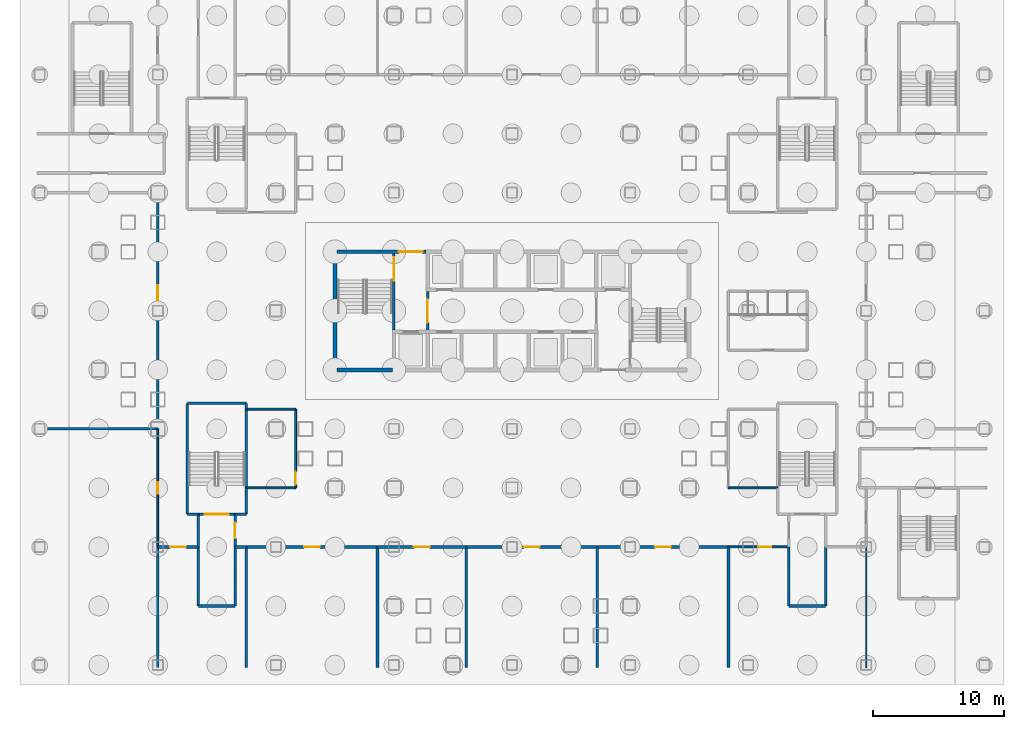
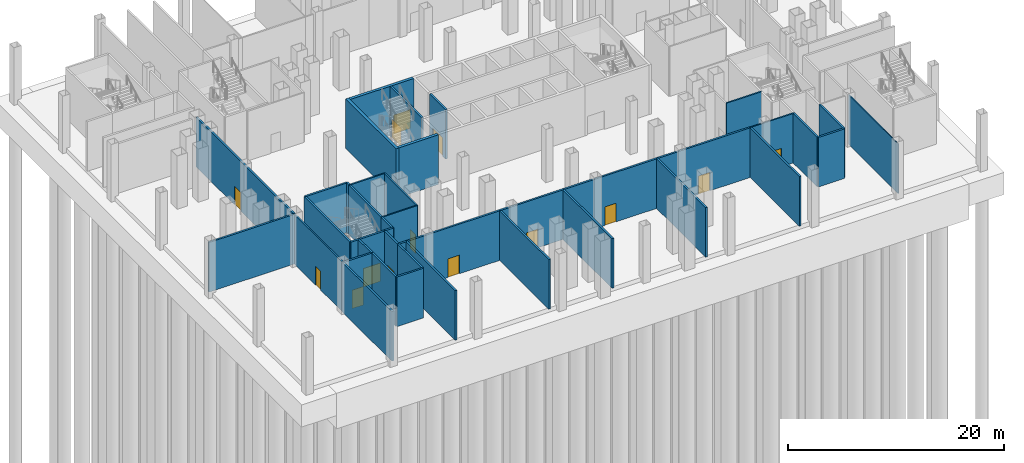
# One storey, part 3 of 25: 42 walls, 14 doors, 14 openings.
"""IFC4 building model written with IfcOpenShell, lengths in metres."""

from ifc_helpers import new_model, si_unit, direction, frame, frame_2d, origin, place, context, subcontext, project, spatial, rectangle, extrude, material, layer, layer_set, type_object, element, fill, save


model = new_model("IFC4")

# Units and contexts
model_context = context("Model", 3, precision=1e-05, world=origin(), true_north=direction((0.0, 1.0)))
body_context = subcontext(model_context, "Body", "Model", "MODEL_VIEW")
ifc_project = project(units=[si_unit("LENGTHUNIT", "METRE"), si_unit("AREAUNIT", "SQUARE_METRE"), si_unit("VOLUMEUNIT", "CUBIC_METRE"), si_unit("PLANEANGLEUNIT", "RADIAN"), si_unit("MASSUNIT", "GRAM", prefix="KILO")], contexts=[model_context])

# Site, building, storey
site_placement = place(None, origin())
site = spatial("IfcSite", under=ifc_project, at=site_placement, CompositionType="ELEMENT")
building_placement = place(site_placement, origin())
building = spatial("IfcBuilding", under=site, at=building_placement, Name="Caravel Reach Hotel and Residences", CompositionType="ELEMENT")
storey_placement = place(building_placement, frame((0.0, 0.0, -6.0)))
storey = spatial("IfcBuildingStorey", under=building, at=storey_placement, Name="B1", CompositionType="ELEMENT", Elevation=-6.0)

# Walls
ifc_material_1 = material(Name="Autoclaved aerated block wall")
ifc_layer_1 = layer(ifc_material_1, 0.199951171875)
ifc_layer_set_1 = layer_set([ifc_layer_1], Name="Compartment wall 200 mm EI 120")
wall_type_1 = type_object("IfcWallType", Name="Compartment wall 200 mm EI 120", PredefinedType="PARTITIONING", material=ifc_layer_set_1)
wall_1_placement = place(storey_placement, frame((-4.68994140625, 18.0, 0.0), z_axis=(0.0, 0.0, 1.0), x_axis=(1.0, 0.0, 0.0)))
element("IfcWall", 1, at=wall_1_placement, inside=storey, type_object=wall_type_1, Name="B1 wall w035", PredefinedType="PARTITIONING", context=body_context, shape_type="SweptSolid", body=[
    extrude(rectangle(XDim=9.18994140625, YDim=0.199951171875, at=frame_2d((4.594970703125, 0.0))), origin(), (0.0, 0.0, 1.0), 5.60009765625),
])
for number, where, z_axis, x_axis, name in (
    (2, (7.60009765625, 4.5, 0.0), (0.0, 0.0, 1.0), (1.0, 0.0, 0.0), "B1 wall w041"),
    (3, (52.60009765625, 4.5, 0.0), (0.0, 0.0, 1.0), (1.0, 0.0, 0.0), "B1 wall w042"),
):
    element("IfcWall", number, at=place(storey_placement, frame(where, z_axis=z_axis, x_axis=x_axis)), inside=storey, type_object=wall_type_1, Name=name, PredefinedType="PARTITIONING", context=body_context, shape_type="SweptSolid", body=[
        extrude(rectangle(XDim=2.7998046875, YDim=0.199951171875, at=frame_2d((1.39990234375, 0.0))), origin(), (0.0, 0.0, 1.0), 5.60009765625),
    ])

# Wall, opening, door
wall_2_placement = place(storey_placement, frame((4.5, 9.0, 0.0), z_axis=(0.0, 0.0, 1.0), x_axis=(1.0, 0.0, 0.0)))
wall_2 = element("IfcWall", 4, at=wall_2_placement, inside=storey, type_object=wall_type_1, Name="B1 wall w050", PredefinedType="PARTITIONING", context=body_context, shape_type="SweptSolid", body=[
    extrude(rectangle(XDim=3.10009765625, YDim=0.199951171875, at=frame_2d((1.550048828125, 0.0))), origin(), (0.0, 0.0, 1.0), 5.60009765625),
])
opening_1_placement = place(wall_2_placement, frame((0.949951171875, 0.0, 0.0)))
opening_1 = element("IfcOpeningElement", 5, at=opening_1_placement, cuts=wall_2, Name="Opening DB1-034", PredefinedType="OPENING", context=body_context, shape_type="SweptSolid", body=[
    extrude(rectangle(XDim=1.199951171875, YDim=2.10009765625, at=frame_2d((0.60009765625, 1.050048828125))), frame((0.0, 0.10986328125, 0.0), z_axis=(0.0, -1.0, 0.0), x_axis=(1.0, 0.0, 0.0)), (0.0, 0.0, 1.0), 0.219970703125),
])
ifc_material_2 = material(Name="Steel fire door leaf", Category="steel")
door_type_1 = type_object("IfcDoorType", Name="Plant room door 1200 x 2100 EI 60", OperationType="SINGLE_SWING_LEFT", PredefinedType="DOOR", material=ifc_material_2)
door_1_placement = place(opening_1_placement, origin())
door_1 = element("IfcDoor", 6, at=door_1_placement, inside=storey, type_object=door_type_1, Name="door DB1-034", OperationType="SINGLE_SWING_RIGHT", OverallHeight=2.10009765625, OverallWidth=1.199951171875, PredefinedType="DOOR", context=body_context, shape_type="SweptSolid", body=[
    extrude(rectangle(XDim=1.199951171875, YDim=2.10009765625, at=frame_2d((0.60009765625, 1.050048828125))), frame((0.0, 0.02490234375, 0.0), z_axis=(0.0, -1.0, 0.0), x_axis=(1.0, 0.0, 0.0)), (0.0, 0.0, 1.0), 0.050048828125),
])
fill(opening_1, door_1)

# Wall
wall_3_placement = place(storey_placement, frame((10.39990234375, 9.0, 0.0), z_axis=(0.0, 0.0, 1.0), x_axis=(1.0, 0.0, 0.0)))
element("IfcWall", 7, at=wall_3_placement, inside=storey, type_object=wall_type_1, Name="B1 wall w051", PredefinedType="PARTITIONING", context=body_context, shape_type="SweptSolid", body=[
    extrude(rectangle(XDim=0.85009765625, YDim=0.199951171875, at=frame_2d((0.425048828125, 0.0))), origin(), (0.0, 0.0, 1.0), 5.60009765625),
])

# Wall, opening, door
wall_4_placement = place(storey_placement, frame((11.25, 9.0, 0.0), z_axis=(0.0, 0.0, 1.0), x_axis=(1.0, 0.0, 0.0)))
wall_4 = element("IfcWall", 8, at=wall_4_placement, inside=storey, type_object=wall_type_1, Name="B1 wall w052", PredefinedType="PARTITIONING", context=body_context, shape_type="SweptSolid", body=[
    extrude(rectangle(XDim=10.0, YDim=0.199951171875, at=frame_2d((5.0, 0.0))), origin(), (0.0, 0.0, 1.0), 5.60009765625),
])
opening_2_placement = place(wall_4_placement, frame((4.39990234375, 0.0, 0.0)))
opening_2 = element("IfcOpeningElement", 9, at=opening_2_placement, cuts=wall_4, Name="Opening DB1-035", PredefinedType="OPENING", context=body_context, shape_type="SweptSolid", body=[
    extrude(rectangle(XDim=1.199951171875, YDim=2.10009765625, at=frame_2d((0.60009765625, 1.050048828125))), frame((0.0, 0.10986328125, 0.0), z_axis=(0.0, -1.0, 0.0), x_axis=(1.0, 0.0, 0.0)), (0.0, 0.0, 1.0), 0.219970703125),
])
door_2_placement = place(opening_2_placement, origin())
door_2 = element("IfcDoor", 10, at=door_2_placement, inside=storey, type_object=door_type_1, Name="door DB1-035", OperationType="SINGLE_SWING_LEFT", OverallHeight=2.10009765625, OverallWidth=1.199951171875, PredefinedType="DOOR", context=body_context, shape_type="SweptSolid", body=[
    extrude(rectangle(XDim=1.199951171875, YDim=2.10009765625, at=frame_2d((0.60009765625, 1.050048828125))), frame((0.0, 0.02490234375, 0.0), z_axis=(0.0, -1.0, 0.0), x_axis=(1.0, 0.0, 0.0)), (0.0, 0.0, 1.0), 0.050048828125),
])
fill(opening_2, door_2)

wall_5_placement = place(storey_placement, frame((21.25, 9.0, 0.0), z_axis=(0.0, 0.0, 1.0), x_axis=(1.0, 0.0, 0.0)))
wall_5 = element("IfcWall", 11, at=wall_5_placement, inside=storey, type_object=wall_type_1, Name="B1 wall w053", PredefinedType="PARTITIONING", context=body_context, shape_type="SweptSolid", body=[
    extrude(rectangle(XDim=6.75, YDim=0.199951171875, at=frame_2d((3.375, 0.0))), origin(), (0.0, 0.0, 1.0), 5.60009765625),
])
opening_3_placement = place(wall_5_placement, frame((2.77490234375, 0.0, 0.0)))
opening_3 = element("IfcOpeningElement", 12, at=opening_3_placement, cuts=wall_5, Name="Opening DB1-036", PredefinedType="OPENING", context=body_context, shape_type="SweptSolid", body=[
    extrude(rectangle(XDim=1.199951171875, YDim=2.10009765625, at=frame_2d((0.60009765625, 1.050048828125))), frame((0.0, 0.10986328125, 0.0), z_axis=(0.0, -1.0, 0.0), x_axis=(1.0, 0.0, 0.0)), (0.0, 0.0, 1.0), 0.219970703125),
])
door_3_placement = place(opening_3_placement, origin())
door_3 = element("IfcDoor", 13, at=door_3_placement, inside=storey, type_object=door_type_1, Name="door DB1-036", OperationType="SINGLE_SWING_LEFT", OverallHeight=2.10009765625, OverallWidth=1.199951171875, PredefinedType="DOOR", context=body_context, shape_type="SweptSolid", body=[
    extrude(rectangle(XDim=1.199951171875, YDim=2.10009765625, at=frame_2d((0.60009765625, 1.050048828125))), frame((0.0, 0.02490234375, 0.0), z_axis=(0.0, -1.0, 0.0), x_axis=(1.0, 0.0, 0.0)), (0.0, 0.0, 1.0), 0.050048828125),
])
fill(opening_3, door_3)

wall_6_placement = place(storey_placement, frame((28.0, 9.0, 0.0), z_axis=(0.0, 0.0, 1.0), x_axis=(1.0, 0.0, 0.0)))
wall_6 = element("IfcWall", 14, at=wall_6_placement, inside=storey, type_object=wall_type_1, Name="B1 wall w054", PredefinedType="PARTITIONING", context=body_context, shape_type="SweptSolid", body=[
    extrude(rectangle(XDim=10.0, YDim=0.199951171875, at=frame_2d((5.0, 0.0))), origin(), (0.0, 0.0, 1.0), 5.60009765625),
])
opening_4_placement = place(wall_6_placement, frame((4.39990234375, 0.0, 0.0)))
opening_4 = element("IfcOpeningElement", 15, at=opening_4_placement, cuts=wall_6, Name="Opening DB1-037", PredefinedType="OPENING", context=body_context, shape_type="SweptSolid", body=[
    extrude(rectangle(XDim=1.199951171875, YDim=2.10009765625, at=frame_2d((0.60009765625, 1.050048828125))), frame((0.0, 0.10986328125, 0.0), z_axis=(0.0, -1.0, 0.0), x_axis=(1.0, 0.0, 0.0)), (0.0, 0.0, 1.0), 0.219970703125),
])
door_4_placement = place(opening_4_placement, origin())
door_4 = element("IfcDoor", 16, at=door_4_placement, inside=storey, type_object=door_type_1, Name="door DB1-037", OperationType="SINGLE_SWING_LEFT", OverallHeight=2.10009765625, OverallWidth=1.199951171875, PredefinedType="DOOR", context=body_context, shape_type="SweptSolid", body=[
    extrude(rectangle(XDim=1.199951171875, YDim=2.10009765625, at=frame_2d((0.60009765625, 1.050048828125))), frame((0.0, 0.02490234375, 0.0), z_axis=(0.0, -1.0, 0.0), x_axis=(1.0, 0.0, 0.0)), (0.0, 0.0, 1.0), 0.050048828125),
])
fill(opening_4, door_4)

wall_7_placement = place(storey_placement, frame((38.0, 9.0, 0.0), z_axis=(0.0, 0.0, 1.0), x_axis=(1.0, 0.0, 0.0)))
wall_7 = element("IfcWall", 17, at=wall_7_placement, inside=storey, type_object=wall_type_1, Name="B1 wall w055", PredefinedType="PARTITIONING", context=body_context, shape_type="SweptSolid", body=[
    extrude(rectangle(XDim=10.0, YDim=0.199951171875, at=frame_2d((5.0, 0.0))), origin(), (0.0, 0.0, 1.0), 5.60009765625),
])
opening_5_placement = place(wall_7_placement, frame((4.39990234375, 0.0, 0.0)))
opening_5 = element("IfcOpeningElement", 18, at=opening_5_placement, cuts=wall_7, Name="Opening DB1-038", PredefinedType="OPENING", context=body_context, shape_type="SweptSolid", body=[
    extrude(rectangle(XDim=1.199951171875, YDim=2.10009765625, at=frame_2d((0.60009765625, 1.050048828125))), frame((0.0, 0.10986328125, 0.0), z_axis=(0.0, -1.0, 0.0), x_axis=(1.0, 0.0, 0.0)), (0.0, 0.0, 1.0), 0.219970703125),
])
door_5_placement = place(opening_5_placement, origin())
door_5 = element("IfcDoor", 19, at=door_5_placement, inside=storey, type_object=door_type_1, Name="door DB1-038", OperationType="SINGLE_SWING_LEFT", OverallHeight=2.10009765625, OverallWidth=1.199951171875, PredefinedType="DOOR", context=body_context, shape_type="SweptSolid", body=[
    extrude(rectangle(XDim=1.199951171875, YDim=2.10009765625, at=frame_2d((0.60009765625, 1.050048828125))), frame((0.0, 0.02490234375, 0.0), z_axis=(0.0, -1.0, 0.0), x_axis=(1.0, 0.0, 0.0)), (0.0, 0.0, 1.0), 0.050048828125),
])
fill(opening_5, door_5)

wall_8_placement = place(storey_placement, frame((10.39990234375, 9.0, 0.0), z_axis=(0.0, 0.0, 1.0), x_axis=(0.0, 1.0, 0.0)))
wall_8 = element("IfcWall", 20, at=wall_8_placement, inside=storey, type_object=wall_type_1, Name="B1 wall w058", PredefinedType="PARTITIONING", context=body_context, shape_type="SweptSolid", body=[
    extrude(rectangle(XDim=2.5, YDim=0.199951171875, at=frame_2d((1.25, 0.0))), origin(), (0.0, 0.0, 1.0), 5.60009765625),
])
opening_6_placement = place(wall_8_placement, frame((0.64990234375, 0.0, 0.0)))
opening_6 = element("IfcOpeningElement", 21, at=opening_6_placement, cuts=wall_8, Name="Opening DB1-018", PredefinedType="OPENING", context=body_context, shape_type="SweptSolid", body=[
    extrude(rectangle(XDim=1.199951171875, YDim=2.10009765625, at=frame_2d((0.60009765625, 1.050048828125))), frame((0.0, 0.10986328125, 0.0), z_axis=(0.0, -1.0, 0.0), x_axis=(1.0, 0.0, 0.0)), (0.0, 0.0, 1.0), 0.219970703125),
])
ifc_material_3 = material(Name="Steel fire door leaf", Category="steel")
door_type_2 = type_object("IfcDoorType", Name="Fire lobby door 1200 x 2100 EI 90", OperationType="SINGLE_SWING_LEFT", PredefinedType="DOOR", material=ifc_material_3)
door_6_placement = place(opening_6_placement, origin())
door_6 = element("IfcDoor", 22, at=door_6_placement, inside=storey, type_object=door_type_2, Name="door DB1-018", OperationType="SINGLE_SWING_LEFT", OverallHeight=2.10009765625, OverallWidth=1.199951171875, PredefinedType="DOOR", context=body_context, shape_type="SweptSolid", body=[
    extrude(rectangle(XDim=1.199951171875, YDim=2.10009765625, at=frame_2d((0.60009765625, 1.050048828125))), frame((0.0, 0.02490234375, 0.0), z_axis=(0.0, -1.0, 0.0), x_axis=(1.0, 0.0, 0.0)), (0.0, 0.0, 1.0), 0.050048828125),
])
fill(opening_6, door_6)

# Walls
wall_9_placement = place(storey_placement, frame((10.39990234375, 4.5, 0.0), z_axis=(0.0, 0.0, 1.0), x_axis=(0.0, 1.0, 0.0)))
element("IfcWall", 23, at=wall_9_placement, inside=storey, type_object=wall_type_1, Name="B1 wall w059", PredefinedType="PARTITIONING", context=body_context, shape_type="SweptSolid", body=[
    extrude(rectangle(XDim=4.5, YDim=0.199951171875, at=frame_2d((2.25, 0.0))), origin(), (0.0, 0.0, 1.0), 5.60009765625),
])
for number, where, z_axis, x_axis, name in (
    (24, (11.25, -0.18994140625, 0.0), (0.0, 0.0, 1.0), (0.0, 1.0, 0.0), "B1 wall w060"),
    (25, (21.25, -0.18994140625, 0.0), (0.0, 0.0, 1.0), (0.0, 1.0, 0.0), "B1 wall w061"),
    (26, (28.0, -0.18994140625, 0.0), (0.0, 0.0, 1.0), (0.0, 1.0, 0.0), "B1 wall w062"),
    (27, (38.0, -0.18994140625, 0.0), (0.0, 0.0, 1.0), (0.0, 1.0, 0.0), "B1 wall w064"),
    (28, (4.5, -0.18994140625, 0.0), (0.0, 0.0, 1.0), (0.0, 1.0, 0.0), "B1 wall w066"),
):
    element("IfcWall", number, at=place(storey_placement, frame(where, z_axis=z_axis, x_axis=x_axis)), inside=storey, type_object=wall_type_1, Name=name, PredefinedType="PARTITIONING", context=body_context, shape_type="SweptSolid", body=[
        extrude(rectangle(XDim=9.18994140625, YDim=0.199951171875, at=frame_2d((4.594970703125, 0.0))), origin(), (0.0, 0.0, 1.0), 5.60009765625),
    ])

# Wall, opening, door
wall_10_placement = place(storey_placement, frame((4.5, 18.0, 0.0), z_axis=(0.0, 0.0, 1.0), x_axis=(0.0, 1.0, 0.0)))
wall_10 = element("IfcWall", 29, at=wall_10_placement, inside=storey, type_object=wall_type_1, Name="B1 wall w067", PredefinedType="PARTITIONING", context=body_context, shape_type="SweptSolid", body=[
    extrude(rectangle(XDim=18.0, YDim=0.199951171875, at=frame_2d((9.0, 0.0))), origin(), (0.0, 0.0, 1.0), 5.60009765625),
])
opening_7_placement = place(wall_10_placement, frame((9.75, 0.0, 0.0)))
opening_7 = element("IfcOpeningElement", 30, at=opening_7_placement, cuts=wall_10, Name="Opening DB1-029", PredefinedType="OPENING", context=body_context, shape_type="SweptSolid", body=[
    extrude(rectangle(XDim=1.199951171875, YDim=2.10009765625, at=frame_2d((0.60009765625, 1.050048828125))), frame((0.0, 0.10986328125, 0.0), z_axis=(0.0, -1.0, 0.0), x_axis=(1.0, 0.0, 0.0)), (0.0, 0.0, 1.0), 0.219970703125),
])
door_7_placement = place(opening_7_placement, origin())
door_7 = element("IfcDoor", 31, at=door_7_placement, inside=storey, type_object=door_type_1, Name="door DB1-029", OperationType="SINGLE_SWING_RIGHT", OverallHeight=2.10009765625, OverallWidth=1.199951171875, PredefinedType="DOOR", context=body_context, shape_type="SweptSolid", body=[
    extrude(rectangle(XDim=1.199951171875, YDim=2.10009765625, at=frame_2d((0.60009765625, 1.050048828125))), frame((0.0, 0.02490234375, 0.0), z_axis=(0.0, -1.0, 0.0), x_axis=(1.0, 0.0, 0.0)), (0.0, 0.0, 1.0), 0.050048828125),
])
fill(opening_7, door_7)

# Walls
wall_11_placement = place(storey_placement, frame((48.0, -0.18994140625, 0.0), z_axis=(0.0, 0.0, 1.0), x_axis=(0.0, 1.0, 0.0)))
element("IfcWall", 32, at=wall_11_placement, inside=storey, type_object=wall_type_1, Name="B1 wall w069", PredefinedType="PARTITIONING", context=body_context, shape_type="SweptSolid", body=[
    extrude(rectangle(XDim=9.18994140625, YDim=0.199951171875, at=frame_2d((4.594970703125, 0.0))), origin(), (0.0, 0.0, 1.0), 5.60009765625),
])
for number, where, z_axis, x_axis, name in (
    (33, (52.60009765625, 4.5, 0.0), (0.0, 0.0, 1.0), (0.0, 1.0, 0.0), "B1 wall w074"),
    (34, (55.39990234375, 4.5, 0.0), (0.0, 0.0, 1.0), (0.0, 1.0, 0.0), "B1 wall w077"),
):
    element("IfcWall", number, at=place(storey_placement, frame(where, z_axis=z_axis, x_axis=x_axis)), inside=storey, type_object=wall_type_1, Name=name, PredefinedType="PARTITIONING", context=body_context, shape_type="SweptSolid", body=[
        extrude(rectangle(XDim=4.5, YDim=0.199951171875, at=frame_2d((2.25, 0.0))), origin(), (0.0, 0.0, 1.0), 5.60009765625),
    ])
wall_12_placement = place(storey_placement, frame((7.60009765625, 9.0, 0.0), z_axis=(0.0, 0.0, 1.0), x_axis=(0.0, 1.0, 0.0)))
element("IfcWall", 35, at=wall_12_placement, inside=storey, type_object=wall_type_1, Name="B1 wall w082", PredefinedType="PARTITIONING", context=body_context, shape_type="SweptSolid", body=[
    extrude(rectangle(XDim=2.5, YDim=0.199951171875, at=frame_2d((1.25, 0.0))), origin(), (0.0, 0.0, 1.0), 5.60009765625),
])
wall_13_placement = place(storey_placement, frame((7.60009765625, 4.5, 0.0), z_axis=(0.0, 0.0, 1.0), x_axis=(0.0, 1.0, 0.0)))
element("IfcWall", 36, at=wall_13_placement, inside=storey, type_object=wall_type_1, Name="B1 wall w083", PredefinedType="PARTITIONING", context=body_context, shape_type="SweptSolid", body=[
    extrude(rectangle(XDim=4.5, YDim=0.199951171875, at=frame_2d((2.25, 0.0))), origin(), (0.0, 0.0, 1.0), 5.60009765625),
])
ifc_material_4 = material(Name="Concrete C60", Category="concrete")
ifc_layer_2 = layer(ifc_material_4, 0.300048828125)
ifc_layer_set_2 = layer_set([ifc_layer_2], Name="Core wall 300 mm EI 120")
wall_type_2 = type_object("IfcWallType", Name="Core wall 300 mm EI 120", PredefinedType="SHEAR", material=ifc_layer_set_2)
wall_14_placement = place(storey_placement, frame((18.14990234375, 22.5, 0.0), z_axis=(0.0, 0.0, 1.0), x_axis=(1.0, 0.0, 0.0)))
element("IfcWall", 37, at=wall_14_placement, inside=storey, type_object=wall_type_2, Name="B1 core wall S1", PredefinedType="SHEAR", context=body_context, shape_type="SweptSolid", body=[
    extrude(rectangle(XDim=4.22509765625, YDim=0.300048828125, at=frame_2d((2.112548828125, 0.0))), origin(), (0.0, 0.0, 1.0), 5.60009765625),
])

# Wall, opening, door
wall_15_placement = place(storey_placement, frame((18.14990234375, 31.5, 0.0), z_axis=(0.0, 0.0, 1.0), x_axis=(1.0, 0.0, 0.0)))
wall_15 = element("IfcWall", 38, at=wall_15_placement, inside=storey, type_object=wall_type_2, Name="B1 core wall N1", PredefinedType="SHEAR", context=body_context, shape_type="SweptSolid", body=[
    extrude(rectangle(XDim=6.796630859375, YDim=0.300048828125, at=frame_2d((3.3984375, 0.0))), origin(), (0.0, 0.0, 1.0), 5.60009765625),
])
opening_8_placement = place(wall_15_placement, frame((4.735595703125, 0.0, 0.0)))
opening_8 = element("IfcOpeningElement", 39, at=opening_8_placement, cuts=wall_15, Name="Opening DB1-012", PredefinedType="OPENING", context=body_context, shape_type="SweptSolid", body=[
    extrude(rectangle(XDim=1.800048828125, YDim=2.10009765625, at=frame_2d((0.89990234375, 1.050048828125))), frame((0.0, 0.159912109375, 0.0), z_axis=(0.0, -1.0, 0.0), x_axis=(1.0, 0.0, 0.0)), (0.0, 0.0, 1.0), 0.320068359375),
])
ifc_material_5 = material(Name="Steel fire door leaf", Category="steel")
door_type_3 = type_object("IfcDoorType", Name="Fire lobby door pair 1800 x 2100 EI 90", OperationType="DOUBLE_DOOR_SINGLE_SWING", PredefinedType="DOOR", material=ifc_material_5)
door_8_placement = place(opening_8_placement, origin())
door_8 = element("IfcDoor", 40, at=door_8_placement, inside=storey, type_object=door_type_3, Name="lobby N door pair to corridor", OperationType="DOUBLE_DOOR_SINGLE_SWING", OverallHeight=2.10009765625, OverallWidth=1.800048828125, PredefinedType="DOOR", context=body_context, shape_type="SweptSolid", body=[
    extrude(rectangle(XDim=1.800048828125, YDim=2.10009765625, at=frame_2d((0.89990234375, 1.050048828125))), frame((0.0, 0.02490234375, 0.0), z_axis=(0.0, -1.0, 0.0), x_axis=(1.0, 0.0, 0.0)), (0.0, 0.0, 1.0), 0.050048828125),
])
fill(opening_8, door_8)

# Walls
wall_16_placement = place(storey_placement, frame((18.0, 22.35009765625, 0.0), z_axis=(0.0, 0.0, 1.0), x_axis=(0.0, 1.0, 0.0)))
element("IfcWall", 41, at=wall_16_placement, inside=storey, type_object=wall_type_2, Name="B1 core wall W", PredefinedType="SHEAR", context=body_context, shape_type="SweptSolid", body=[
    extrude(rectangle(XDim=9.2998046875, YDim=0.300048828125, at=frame_2d((4.64990234375, 0.0))), origin(), (0.0, 0.0, 1.0), 5.60009765625),
])
ifc_material_6 = material(Name="Gypsum board on steel stud, fire-rated", Category="steel")
ifc_layer_3 = layer(ifc_material_6, 0.14990234375)
ifc_layer_set_3 = layer_set([ifc_layer_3], Name="Corridor wall 150 mm EI 60")
wall_type_3 = type_object("IfcWallType", Name="Corridor wall 150 mm EI 60", PredefinedType="PARTITIONING", material=ifc_layer_set_3)
for number, where, z_axis, x_axis, name in (
    (42, (11.25, 13.5, 0.0), (0.0, 0.0, 1.0), (1.0, 0.0, 0.0), "B1 wall w001"),
    (43, (48.0, 13.5, 0.0), (0.0, 0.0, 1.0), (1.0, 0.0, 0.0), "B1 wall w002"),
    (44, (11.25, 19.5, 0.0), (0.0, 0.0, 1.0), (1.0, 0.0, 0.0), "B1 wall w003"),
):
    element("IfcWall", number, at=place(storey_placement, frame(where, z_axis=z_axis, x_axis=x_axis)), inside=storey, type_object=wall_type_3, Name=name, PredefinedType="PARTITIONING", context=body_context, shape_type="SweptSolid", body=[
        extrude(rectangle(XDim=3.75, YDim=0.14990234375, at=frame_2d((1.875, 0.0))), origin(), (0.0, 0.0, 1.0), 5.60009765625),
    ])

# Wall, opening, door
wall_17_placement = place(storey_placement, frame((48.0, 9.0, 0.0), z_axis=(0.0, 0.0, 1.0), x_axis=(1.0, 0.0, 0.0)))
wall_17 = element("IfcWall", 45, at=wall_17_placement, inside=storey, type_object=wall_type_3, Name="B1 wall w016", PredefinedType="PARTITIONING", context=body_context, shape_type="SweptSolid", body=[
    extrude(rectangle(XDim=4.60009765625, YDim=0.14990234375, at=frame_2d((2.300048828125, 0.0))), origin(), (0.0, 0.0, 1.0), 5.60009765625),
])
opening_9_placement = place(wall_17_placement, frame((2.25, 0.0, 0.0)))
opening_9 = element("IfcOpeningElement", 46, at=opening_9_placement, cuts=wall_17, Name="Opening DB1-039", PredefinedType="OPENING", context=body_context, shape_type="SweptSolid", body=[
    extrude(rectangle(XDim=1.0, YDim=2.10009765625, at=frame_2d((0.5, 1.050048828125))), frame((0.0, 0.0849609375, 0.0), z_axis=(0.0, -1.0, 0.0), x_axis=(1.0, 0.0, 0.0)), (0.0, 0.0, 1.0), 0.169921875),
])
ifc_material_7 = material(Name="Steel fire door leaf", Category="steel")
door_type_4 = type_object("IfcDoorType", Name="Fire door 1000 x 2100 EI 60", OperationType="SINGLE_SWING_LEFT", PredefinedType="DOOR", material=ifc_material_7)
door_9_placement = place(opening_9_placement, origin())
door_9 = element("IfcDoor", 47, at=door_9_placement, inside=storey, type_object=door_type_4, Name="door DB1-039", OperationType="SINGLE_SWING_RIGHT", OverallHeight=2.10009765625, OverallWidth=1.0, PredefinedType="DOOR", context=body_context, shape_type="SweptSolid", body=[
    extrude(rectangle(XDim=1.0, YDim=2.10009765625, at=frame_2d((0.5, 1.050048828125))), frame((0.0, 0.02490234375, 0.0), z_axis=(0.0, -1.0, 0.0), x_axis=(1.0, 0.0, 0.0)), (0.0, 0.0, 1.0), 0.050048828125),
])
fill(opening_9, door_9)

wall_18_placement = place(storey_placement, frame((15.0, 13.5, 0.0), z_axis=(0.0, 0.0, 1.0), x_axis=(0.0, 1.0, 0.0)))
wall_18 = element("IfcWall", 48, at=wall_18_placement, inside=storey, type_object=wall_type_3, Name="B1 wall w018", PredefinedType="PARTITIONING", context=body_context, shape_type="SweptSolid", body=[
    extrude(rectangle(XDim=6.0, YDim=0.14990234375, at=frame_2d((3.0, 0.0))), origin(), (0.0, 0.0, 1.0), 5.60009765625),
])
opening_10_placement = place(wall_18_placement, frame((0.25, 0.0, 0.0)))
opening_10 = element("IfcOpeningElement", 49, at=opening_10_placement, cuts=wall_18, Name="Opening DB1-046", PredefinedType="OPENING", context=body_context, shape_type="SweptSolid", body=[
    extrude(rectangle(XDim=1.0, YDim=2.10009765625, at=frame_2d((0.5, 1.050048828125))), frame((0.0, 0.0849609375, 0.0), z_axis=(0.0, -1.0, 0.0), x_axis=(1.0, 0.0, 0.0)), (0.0, 0.0, 1.0), 0.169921875),
])
door_10_placement = place(opening_10_placement, origin())
door_10 = element("IfcDoor", 50, at=door_10_placement, inside=storey, type_object=door_type_4, Name="door DB1-046", OperationType="SINGLE_SWING_LEFT", OverallHeight=2.10009765625, OverallWidth=1.0, PredefinedType="DOOR", context=body_context, shape_type="SweptSolid", body=[
    extrude(rectangle(XDim=1.0, YDim=2.10009765625, at=frame_2d((0.5, 1.050048828125))), frame((0.0, 0.02490234375, 0.0), z_axis=(0.0, -1.0, 0.0), x_axis=(1.0, 0.0, 0.0)), (0.0, 0.0, 1.0), 0.050048828125),
])
fill(opening_10, door_10)

wall_19_placement = place(storey_placement, frame((4.5, 9.0, 0.0), z_axis=(0.0, 0.0, 1.0), x_axis=(0.0, 1.0, 0.0)))
wall_19 = element("IfcWall", 51, at=wall_19_placement, inside=storey, type_object=wall_type_3, Name="B1 wall w020", PredefinedType="PARTITIONING", context=body_context, shape_type="SweptSolid", body=[
    extrude(rectangle(XDim=9.0, YDim=0.14990234375, at=frame_2d((4.5, 0.0))), origin(), (0.0, 0.0, 1.0), 5.60009765625),
])
opening_11_placement = place(wall_19_placement, frame((4.050048828125, 0.0, 0.0)))
opening_11 = element("IfcOpeningElement", 52, at=opening_11_placement, cuts=wall_19, Name="Opening DB1-028", PredefinedType="OPENING", context=body_context, shape_type="SweptSolid", body=[
    extrude(rectangle(XDim=0.89990234375, YDim=2.10009765625, at=frame_2d((0.449951171875, 1.050048828125))), frame((0.0, 0.0849609375, 0.0), z_axis=(0.0, -1.0, 0.0), x_axis=(1.0, 0.0, 0.0)), (0.0, 0.0, 1.0), 0.169921875),
])
ifc_material_8 = material(Name="Timber and steel door leaf", Category="steel")
door_type_5 = type_object("IfcDoorType", Name="Door 900 x 2100 timber", OperationType="SINGLE_SWING_LEFT", PredefinedType="DOOR", material=ifc_material_8)
door_11_placement = place(opening_11_placement, origin())
door_11 = element("IfcDoor", 53, at=door_11_placement, inside=storey, type_object=door_type_5, Name="door DB1-028", OperationType="SINGLE_SWING_RIGHT", OverallHeight=2.10009765625, OverallWidth=0.89990234375, PredefinedType="DOOR", context=body_context, shape_type="SweptSolid", body=[
    extrude(rectangle(XDim=0.89990234375, YDim=2.10009765625, at=frame_2d((0.449951171875, 1.050048828125))), frame((0.0, 0.02490234375, 0.0), z_axis=(0.0, -1.0, 0.0), x_axis=(1.0, 0.0, 0.0)), (0.0, 0.0, 1.0), 0.050048828125),
])
fill(opening_11, door_11)

ifc_material_9 = material(Name="Autoclaved aerated block wall")
ifc_layer_4 = layer(ifc_material_9, 0.199951171875)
ifc_layer_set_4 = layer_set([ifc_layer_4], Name="Fire lobby wall 200 mm EI 120")
wall_type_4 = type_object("IfcWallType", Name="Fire lobby wall 200 mm EI 120", PredefinedType="PARTITIONING", material=ifc_layer_set_4)
wall_20_placement = place(storey_placement, frame((25.071533203125, 25.52490234375, 0.0), z_axis=(0.0, 0.0, 1.0), x_axis=(0.0, 1.0, 0.0)))
wall_20 = element("IfcWall", 54, at=wall_20_placement, inside=storey, type_object=wall_type_4, Name="B1 lobby W wall", PredefinedType="PARTITIONING", context=body_context, shape_type="SweptSolid", body=[
    extrude(rectangle(XDim=2.9501953125, YDim=0.199951171875, at=frame_2d((1.47509765625, 0.0))), origin(), (0.0, 0.0, 1.0), 5.60009765625),
])
opening_12_placement = place(wall_20_placement, frame((0.574951171875, 0.0, 0.0)))
opening_12 = element("IfcOpeningElement", 55, at=opening_12_placement, cuts=wall_20, Name="Opening DB1-010", PredefinedType="OPENING", context=body_context, shape_type="SweptSolid", body=[
    extrude(rectangle(XDim=1.800048828125, YDim=2.10009765625, at=frame_2d((0.89990234375, 1.050048828125))), frame((0.0, 0.10986328125, 0.0), z_axis=(0.0, -1.0, 0.0), x_axis=(1.0, 0.0, 0.0)), (0.0, 0.0, 1.0), 0.219970703125),
])
door_12_placement = place(opening_12_placement, origin())
door_12 = element("IfcDoor", 56, at=door_12_placement, inside=storey, type_object=door_type_3, Name="lobby W door pair", OperationType="DOUBLE_DOOR_SINGLE_SWING", OverallHeight=2.10009765625, OverallWidth=1.800048828125, PredefinedType="DOOR", context=body_context, shape_type="SweptSolid", body=[
    extrude(rectangle(XDim=1.800048828125, YDim=2.10009765625, at=frame_2d((0.89990234375, 1.050048828125))), frame((0.0, 0.02490234375, 0.0), z_axis=(0.0, -1.0, 0.0), x_axis=(1.0, 0.0, 0.0)), (0.0, 0.0, 1.0), 0.050048828125),
])
fill(opening_12, door_12)

# Wall
ifc_material_10 = material(Name="Gypsum board on steel stud", Category="steel")
ifc_layer_5 = layer(ifc_material_10, 0.10009765625)
ifc_layer_set_5 = layer_set([ifc_layer_5], Name="Partition 100 mm")
wall_type_5 = type_object("IfcWallType", Name="Partition 100 mm", PredefinedType="PARTITIONING", material=ifc_layer_set_5)
wall_21_placement = place(storey_placement, frame((58.5, -0.18994140625, 0.0), z_axis=(0.0, 0.0, 1.0), x_axis=(0.0, 1.0, 0.0)))
element("IfcWall", 57, at=wall_21_placement, inside=storey, type_object=wall_type_5, Name="B1 wall w030", PredefinedType="PARTITIONING", context=body_context, shape_type="SweptSolid", body=[
    extrude(rectangle(XDim=9.18994140625, YDim=0.10009765625, at=frame_2d((4.594970703125, 0.0))), origin(), (0.0, 0.0, 1.0), 5.60009765625),
])

# Wall, opening, door
ifc_material_11 = material(Name="Concrete C60", Category="concrete")
ifc_layer_6 = layer(ifc_material_11, 0.199951171875)
ifc_layer_set_6 = layer_set([ifc_layer_6], Name="Stair enclosure wall 200 mm EI 120")
wall_type_6 = type_object("IfcWallType", Name="Stair enclosure wall 200 mm EI 120", PredefinedType="SHEAR", material=ifc_layer_set_6)
wall_22_placement = place(storey_placement, frame((22.5, 31.35009765625, 0.0), z_axis=(0.0, 0.0, 1.0), x_axis=(0.0, -1.0, 0.0)))
wall_22 = element("IfcWall", 58, at=wall_22_placement, inside=storey, type_object=wall_type_6, Name="B1 stair A wall", PredefinedType="SHEAR", context=body_context, shape_type="SweptSolid", body=[
    extrude(rectangle(XDim=5.8251953125, YDim=0.199951171875, at=frame_2d((2.91259765625, 0.0))), origin(), (0.0, 0.0, 1.0), 5.60009765625),
])
opening_13_placement = place(wall_22_placement, frame((0.25, 0.0, 0.0)))
opening_13 = element("IfcOpeningElement", 59, at=opening_13_placement, cuts=wall_22, Name="Opening DB1-008", PredefinedType="OPENING", context=body_context, shape_type="SweptSolid", body=[
    extrude(rectangle(XDim=1.800048828125, YDim=2.10009765625, at=frame_2d((0.89990234375, 1.050048828125))), frame((0.0, 0.10986328125, 0.0), z_axis=(0.0, -1.0, 0.0), x_axis=(1.0, 0.0, 0.0)), (0.0, 0.0, 1.0), 0.219970703125),
])
ifc_material_12 = material(Name="Steel fire door leaf", Category="steel")
door_type_6 = type_object("IfcDoorType", Name="Stair door pair 1800 x 2100 EI 90", OperationType="DOUBLE_DOOR_SINGLE_SWING", PredefinedType="DOOR", material=ifc_material_12)
door_13_placement = place(opening_13_placement, origin())
door_13 = element("IfcDoor", 60, at=door_13_placement, inside=storey, type_object=door_type_6, Name="stair A door pair", OperationType="DOUBLE_DOOR_SINGLE_SWING", OverallHeight=2.10009765625, OverallWidth=1.800048828125, PredefinedType="DOOR", context=body_context, shape_type="SweptSolid", body=[
    extrude(rectangle(XDim=1.800048828125, YDim=2.10009765625, at=frame_2d((0.89990234375, 1.050048828125))), frame((0.0, 0.02490234375, 0.0), z_axis=(0.0, -1.0, 0.0), x_axis=(1.0, 0.0, 0.0)), (0.0, 0.0, 1.0), 0.050048828125),
])
fill(opening_13, door_13)

# Walls
for number, where, z_axis, x_axis, name in (
    (61, (6.75, 11.5, 0.0), (0.0, 0.0, 1.0), (1.0, 0.0, 0.0), "B1 wall w084"),
    (62, (10.39990234375, 11.5, 0.0), (0.0, 0.0, 1.0), (1.0, 0.0, 0.0), "B1 wall w085"),
):
    element("IfcWall", number, at=place(storey_placement, frame(where, z_axis=z_axis, x_axis=x_axis)), inside=storey, type_object=wall_type_6, Name=name, PredefinedType="SHEAR", context=body_context, shape_type="SweptSolid", body=[
        extrude(rectangle(XDim=0.85009765625, YDim=0.199951171875, at=frame_2d((0.425048828125, 0.0))), origin(), (0.0, 0.0, 1.0), 5.60009765625),
    ])

# Wall, opening, door
wall_23_placement = place(storey_placement, frame((7.60009765625, 11.5, 0.0), z_axis=(0.0, 0.0, 1.0), x_axis=(1.0, 0.0, 0.0)))
wall_23 = element("IfcWall", 63, at=wall_23_placement, inside=storey, type_object=wall_type_6, Name="B1 wall w086", PredefinedType="SHEAR", context=body_context, shape_type="SweptSolid", body=[
    extrude(rectangle(XDim=2.7998046875, YDim=0.199951171875, at=frame_2d((1.39990234375, 0.0))), origin(), (0.0, 0.0, 1.0), 5.60009765625),
])
opening_14_placement = place(wall_23_placement, frame((0.5, 0.0, 0.0)))
opening_14 = element("IfcOpeningElement", 64, at=opening_14_placement, cuts=wall_23, Name="Opening DB1-019", PredefinedType="OPENING", context=body_context, shape_type="SweptSolid", body=[
    extrude(rectangle(XDim=1.800048828125, YDim=2.10009765625, at=frame_2d((0.89990234375, 1.050048828125))), frame((0.0, 0.10986328125, 0.0), z_axis=(0.0, -1.0, 0.0), x_axis=(1.0, 0.0, 0.0)), (0.0, 0.0, 1.0), 0.219970703125),
])
door_14_placement = place(opening_14_placement, origin())
door_14 = element("IfcDoor", 65, at=door_14_placement, inside=storey, type_object=door_type_6, Name="door DB1-019", OperationType="DOUBLE_DOOR_SINGLE_SWING", OverallHeight=2.10009765625, OverallWidth=1.800048828125, PredefinedType="DOOR", context=body_context, shape_type="SweptSolid", body=[
    extrude(rectangle(XDim=1.800048828125, YDim=2.10009765625, at=frame_2d((0.89990234375, 1.050048828125))), frame((0.0, 0.02490234375, 0.0), z_axis=(0.0, -1.0, 0.0), x_axis=(1.0, 0.0, 0.0)), (0.0, 0.0, 1.0), 0.050048828125),
])
fill(opening_14, door_14)

# Walls
wall_24_placement = place(storey_placement, frame((6.75, 19.949951171875, 0.0), z_axis=(0.0, 0.0, 1.0), x_axis=(1.0, 0.0, 0.0)))
element("IfcWall", 66, at=wall_24_placement, inside=storey, type_object=wall_type_6, Name="B1 wall w091", PredefinedType="SHEAR", context=body_context, shape_type="SweptSolid", body=[
    extrude(rectangle(XDim=4.5, YDim=0.199951171875, at=frame_2d((2.25, 0.0))), origin(), (0.0, 0.0, 1.0), 5.60009765625),
])
wall_25_placement = place(storey_placement, frame((11.25, 11.5, 0.0), z_axis=(0.0, 0.0, 1.0), x_axis=(0.0, 1.0, 0.0)))
element("IfcWall", 67, at=wall_25_placement, inside=storey, type_object=wall_type_6, Name="B1 wall w111", PredefinedType="SHEAR", context=body_context, shape_type="SweptSolid", body=[
    extrude(rectangle(XDim=2.0, YDim=0.199951171875, at=frame_2d((1.0, 0.0))), origin(), (0.0, 0.0, 1.0), 5.60009765625),
])
wall_26_placement = place(storey_placement, frame((11.25, 19.5, 0.0), z_axis=(0.0, 0.0, 1.0), x_axis=(0.0, 1.0, 0.0)))
element("IfcWall", 68, at=wall_26_placement, inside=storey, type_object=wall_type_6, Name="B1 wall w112", PredefinedType="SHEAR", context=body_context, shape_type="SweptSolid", body=[
    extrude(rectangle(XDim=0.449951171875, YDim=0.199951171875, at=frame_2d((0.22509765625, 0.0))), origin(), (0.0, 0.0, 1.0), 5.60009765625),
])
wall_27_placement = place(storey_placement, frame((11.25, 13.5, 0.0), z_axis=(0.0, 0.0, 1.0), x_axis=(0.0, 1.0, 0.0)))
element("IfcWall", 69, at=wall_27_placement, inside=storey, type_object=wall_type_6, Name="B1 wall w113", PredefinedType="SHEAR", context=body_context, shape_type="SweptSolid", body=[
    extrude(rectangle(XDim=6.0, YDim=0.199951171875, at=frame_2d((3.0, 0.0))), origin(), (0.0, 0.0, 1.0), 5.60009765625),
])
wall_28_placement = place(storey_placement, frame((6.75, 11.5, 0.0), z_axis=(0.0, 0.0, 1.0), x_axis=(0.0, 1.0, 0.0)))
element("IfcWall", 70, at=wall_28_placement, inside=storey, type_object=wall_type_6, Name="B1 wall w123", PredefinedType="SHEAR", context=body_context, shape_type="SweptSolid", body=[
    extrude(rectangle(XDim=8.449951171875, YDim=0.199951171875, at=frame_2d((4.22509765625, 0.0))), origin(), (0.0, 0.0, 1.0), 5.60009765625),
])

save(model, "model.ifc")
